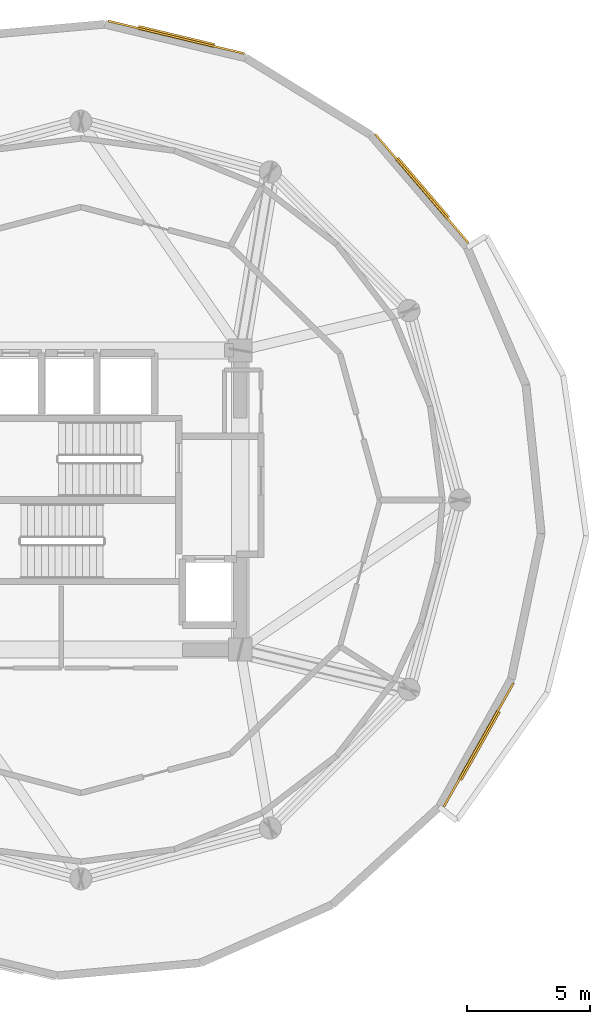
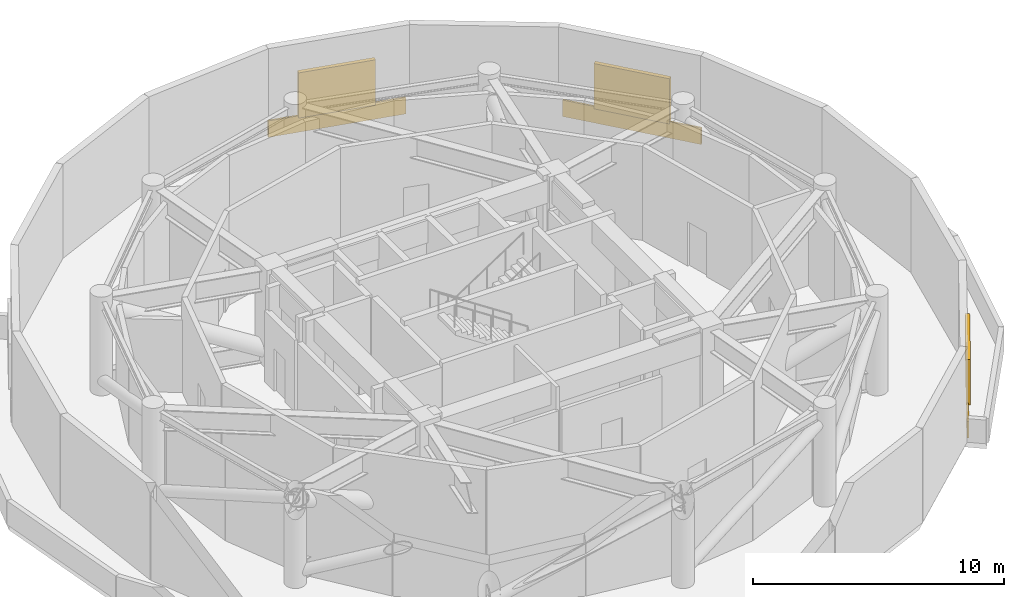
# One storey, part 7 of 7: 3 coverings, 3 shading devices.
"""IFC4 building model written with IfcOpenShell, lengths in metres."""

import ifcopenshell
import ifcopenshell.guid

model = None  # the IFC model being written
_history = None  # IfcOwnerHistory: only IFC2X3 demands one
_inside = {}  # id of a spatial element -> (the spatial element, [elements in it])
_under = {}  # id of a project, library or spatial element -> (it, [spatial elements below it])
_declared = {}  # id of a project -> (the project, [libraries it declares])
_typed = {}  # id of a type object -> (the type object, [elements of that type])
_made_of = {}  # id of a material, layer set ... -> (it, [elements and type objects made of it])


def new_model(schema):
    """Start an empty IFC model of exactly this schema.

    Asked for "IFC4X3", IfcOpenShell would pick the latest addendum, in which some entities
    have other attributes; the version numbers below select the first issue.
    IFC2X3 requires an IfcOwnerHistory on every rooted entity: one is made here for all.
    """
    global model, _history
    if schema == "IFC4X3":
        model = ifcopenshell.file(schema_version=(4, 3, 0, 0))
    else:
        model = ifcopenshell.file(schema=schema)
    _inside.clear()
    _under.clear()
    _declared.clear()
    _typed.clear()
    _made_of.clear()
    _history = None
    if model.schema == "IFC2X3":
        org = make("IfcOrganization", Name="unknown")
        user = make(
            "IfcPersonAndOrganization",
            ThePerson=make("IfcPerson", FamilyName="unknown"),
            TheOrganization=org,
        )
        app = make(
            "IfcApplication",
            ApplicationDeveloper=org,
            Version="unknown",
            ApplicationFullName="unknown",
            ApplicationIdentifier="unknown",
        )
        _history = make(
            "IfcOwnerHistory",
            OwningUser=user,
            OwningApplication=app,
            ChangeAction="ADDED",
            CreationDate=0,
        )
    return model


def make(cls, **values):
    """One entity of the class cls with the attributes given. An attribute that is None is left unset."""
    return model.create_entity(
        cls, **{name: value for name, value in values.items() if value is not None}
    )


def rooted(cls, **values):
    """An entity with a GlobalId (a new one), such as an element, a storey or a relation."""
    return make(cls, GlobalId=ifcopenshell.guid.new(), OwnerHistory=_history, **values)


def si_unit(unit_type, name, prefix=None):
    """IfcSIUnit, for example si_unit("LENGTHUNIT", "METRE", prefix="MILLI")."""
    return make("IfcSIUnit", UnitType=unit_type, Prefix=prefix, Name=name)


def assignment(units):
    """IfcUnitAssignment: the units of a project."""
    return None if units is None else make("IfcUnitAssignment", Units=units)


def point(xyz):
    """IfcCartesianPoint."""
    return None if xyz is None else make("IfcCartesianPoint", Coordinates=xyz)


def direction(xyz):
    """IfcDirection."""
    return None if xyz is None else make("IfcDirection", DirectionRatios=xyz)


def frame(location, z_axis=None, x_axis=None):
    """IfcAxis2Placement3D, a coordinate frame: its origin and axes. An axis left out is left unset."""
    return make(
        "IfcAxis2Placement3D",
        Location=point(location),
        Axis=direction(z_axis),
        RefDirection=direction(x_axis),
    )


def frame_2d(location, x_axis=None):
    """IfcAxis2Placement2D, a coordinate frame in the plane: its origin and x axis."""
    return make(
        "IfcAxis2Placement2D", Location=point(location), RefDirection=direction(x_axis)
    )


def origin():
    """The frame at (0, 0, 0) with its axes left unset."""
    return frame((0.0, 0.0, 0.0))


def origin_2d():
    """The frame at (0, 0) in the plane with its x axis left unset."""
    return frame_2d((0.0, 0.0))


def place(relative_to, where):
    """IfcLocalPlacement: puts the frame where relative to a parent placement (None: the world)."""
    return make(
        "IfcLocalPlacement", PlacementRelTo=relative_to, RelativePlacement=where
    )


def context(
    kind, dimensions, precision=None, world=None, true_north=None, identifier=None
):
    """IfcGeometricRepresentationContext, for example the 3D "Model" context."""
    return make(
        "IfcGeometricRepresentationContext",
        ContextIdentifier=identifier,
        ContextType=kind,
        CoordinateSpaceDimension=dimensions,
        Precision=precision,
        WorldCoordinateSystem=world,
        TrueNorth=true_north,
    )


def subcontext(parent, identifier, kind, view, scale=None):
    """IfcGeometricRepresentationSubContext, for example "Body" below "Model"."""
    return make(
        "IfcGeometricRepresentationSubContext",
        ContextIdentifier=identifier,
        ContextType=kind,
        ParentContext=parent,
        TargetScale=scale,
        TargetView=view,
    )


def project(units=None, contexts=None):
    """IfcProject with its units and contexts."""
    return rooted(
        "IfcProject",
        Name="project",
        RepresentationContexts=contexts,
        UnitsInContext=assignment(units),
    )


def spatial(cls, under=None, at=None, **own):
    """A site, building, storey or space (cls), placed at a placement, below another one or the project."""
    s = rooted(cls, ObjectPlacement=at, **own)
    if under is not None:
        _under.setdefault(under.id(), (under, []))[1].append(s)
    return s


def profile(cls, at=None, kind="AREA", **sizes):
    """A parametric profile (cls). Its sizes go by their IFC names, for example OverallWidth=200.0."""
    return make(cls, ProfileType=kind, Position=at, **sizes)


def rectangle(**sizes):
    """IfcRectangleProfileDef."""
    return profile("IfcRectangleProfileDef", **sizes)


def extrude(swept, where, along, depth):
    """IfcExtrudedAreaSolid: the profile swept, set in the frame where, extruded along a direction by depth."""
    return make(
        "IfcExtrudedAreaSolid",
        SweptArea=swept,
        Position=where,
        ExtrudedDirection=direction(along),
        Depth=depth,
    )


def shape(context_of_items, identifier, shape_type, items):
    """IfcShapeRepresentation: the items that make up one representation, for example the "Body"."""
    return make(
        "IfcShapeRepresentation",
        ContextOfItems=context_of_items,
        RepresentationIdentifier=identifier,
        RepresentationType=shape_type,
        Items=items,
    )


def material(Name=None, Category=None):
    """IfcMaterial."""
    return make("IfcMaterial", Name=Name, Category=Category)


def layer(
    of_material, thickness, ventilated=None, Name=None, Category=None, Priority=None
):
    """IfcMaterialLayer: one layer of a wall or slab, of a material (None: an air gap)."""
    return make(
        "IfcMaterialLayer",
        Material=of_material,
        LayerThickness=thickness,
        IsVentilated=ventilated,
        Name=Name,
        Category=Category,
        Priority=Priority,
    )


def layer_set(layers, Name=None):
    """IfcMaterialLayerSet."""
    return make("IfcMaterialLayerSet", MaterialLayers=layers, LayerSetName=Name)


def made_of(thing, what):
    """Note that an element or type object is made of a material, layer set ...; save() writes the relation."""
    if what is not None:
        _made_of.setdefault(what.id(), (what, []))[1].append(thing)
    return thing


def type_object(cls, material=None, **own):
    """A type object (cls), such as IfcWallType, which elements share."""
    return made_of(rooted(cls, **own), material)


def element(
    cls,
    number,
    at=None,
    inside=None,
    cuts=None,
    type_object=None,
    material=None,
    context=None,
    identifier="Body",
    shape_type=None,
    held_by="IfcProductDefinitionShape",
    body=None,
    shapes=None,
    **own,
):
    """One element of the class cls, such as IfcWall. Its Tag is "e" and its number.

    at: its placement. inside: the storey or other place that contains it. cuts: it is an
    opening in that element (IfcRelVoidsElement). A single representation is given by context,
    identifier, shape_type and body (its items); several are given by shapes. held_by: the class
    of the entity that holds the representations. save() writes the other relations.
    """
    e = rooted(cls, Tag="e%d" % number, ObjectPlacement=at, **own)
    if body is not None:
        shapes = [shape(context, identifier, shape_type, body)]
    if shapes is not None:
        e.Representation = make(held_by, Representations=shapes)
    if inside is not None:
        _inside.setdefault(inside.id(), (inside, []))[1].append(e)
    if cuts is not None:
        rooted(
            "IfcRelVoidsElement", RelatingBuildingElement=cuts, RelatedOpeningElement=e
        )
    if type_object is not None:
        _typed.setdefault(type_object.id(), (type_object, []))[1].append(e)
    return made_of(e, material)


def aggregate(whole, parts):
    """IfcRelAggregates: a whole, such as a stair, and the parts it consists of."""
    return rooted("IfcRelAggregates", RelatingObject=whole, RelatedObjects=parts)


def save(model, path):
    """Write the relations noted so far, then the file.

    IfcRelAggregates (storeys below a building ...), IfcRelContainedInSpatialStructure (elements
    in a storey), IfcRelDefinesByType, IfcRelAssociatesMaterial and IfcRelDeclares: one each for
    every whole, place, type object, material and project.
    """
    for whole, parts in _under.values():
        aggregate(whole, parts)
    for where, things in _inside.values():
        rooted(
            "IfcRelContainedInSpatialStructure",
            RelatedElements=things,
            RelatingStructure=where,
        )
    for kind, things in _typed.values():
        rooted("IfcRelDefinesByType", RelatedObjects=things, RelatingType=kind)
    for what, things in _made_of.values():
        rooted("IfcRelAssociatesMaterial", RelatedObjects=things, RelatingMaterial=what)
    for by, libraries in _declared.values():
        rooted("IfcRelDeclares", RelatingContext=by, RelatedDefinitions=libraries)
    model.write(path)


model = new_model("IFC4")

# Units and contexts
model_context = context("Model", 3, precision=1e-05, world=origin(), true_north=direction((0.0, 1.0)))
body_context = subcontext(model_context, "Body", "Model", "MODEL_VIEW")
ifc_project = project(units=[si_unit("LENGTHUNIT", "METRE"), si_unit("AREAUNIT", "SQUARE_METRE"), si_unit("VOLUMEUNIT", "CUBIC_METRE"), si_unit("PLANEANGLEUNIT", "RADIAN"), si_unit("MASSUNIT", "GRAM", prefix="KILO")], contexts=[model_context])

# Site, building, storey
site_placement = place(None, origin())
site = spatial("IfcSite", under=ifc_project, at=site_placement, CompositionType="ELEMENT")
building_placement = place(site_placement, origin())
building = spatial("IfcBuilding", under=site, at=building_placement, Name="Solvirekh Grand Hotel", CompositionType="ELEMENT")
storey_placement = place(building_placement, frame((0.0, 0.0, 234.39990234375)))
storey = spatial("IfcBuildingStorey", under=building, at=storey_placement, Name="L61", CompositionType="ELEMENT", Elevation=234.39990234375)

# Coverings
ifc_material = material(Name="Anodized Bronze Aluminium 6063-T6", Category="aluminium")
ifc_layer_1 = layer(ifc_material, 0.0400390625)
ifc_layer_set_1 = layer_set([ifc_layer_1], Name="Anodized Bronze Aluminium 6063-T6")
covering_type = type_object("IfcCoveringType", Name="Cov_Cladding_Bronze", PredefinedType="CLADDING", material=ifc_layer_set_1)
covering_1_placement = place(storey_placement, frame((16.22412109375, -9.990966796875, 0.05029296875), z_axis=(0.0, 0.0, 1.0), x_axis=(-0.490751690644, -0.871299476719, 0.0)))
element("IfcCovering", 1, at=covering_1_placement, inside=storey, type_object=covering_type, Name="L61 bronze spandrel cladding band 3", PredefinedType="CLADDING", context=body_context, shape_type="SweptSolid", body=[
    extrude(rectangle(XDim=5.783935546875, YDim=0.080078125, at=origin_2d()), origin(), (0.0, 0.0, 1.0), 0.800048828125),
])
covering_2_placement = place(storey_placement, frame((13.912109375, 12.696044921875, 0.05029296875), z_axis=(0.0, 0.0, 1.0), x_axis=(0.650509141939, -0.759498424128, 0.0)))
element("IfcCovering", 2, at=covering_2_placement, inside=storey, type_object=covering_type, Name="L61 bronze spandrel cladding band 7", PredefinedType="CLADDING", context=body_context, shape_type="SweptSolid", body=[
    extrude(rectangle(XDim=5.85400390625, YDim=0.080078125, at=origin_2d()), origin(), (0.0, 0.0, 1.0), 0.800048828125),
])
covering_3_placement = place(storey_placement, frame((3.886962890625, 18.873046875, 0.05029296875), z_axis=(0.0, 0.0, 1.0), x_axis=(0.972613850605, -0.232426972642, 0.0)))
element("IfcCovering", 3, at=covering_3_placement, inside=storey, type_object=covering_type, Name="L61 bronze spandrel cladding band 9", PredefinedType="CLADDING", context=body_context, shape_type="SweptSolid", body=[
    extrude(rectangle(XDim=5.715087890625, YDim=0.080078125, at=origin_2d()), origin(), (0.0, 0.0, 1.0), 0.800048828125),
])

# Shading devices
ifc_layer_2 = layer(ifc_material, 0.1201171875)
ifc_layer_set_2 = layer_set([ifc_layer_2], Name="Anodized Bronze Aluminium 6063-T6")
shading_device_type = type_object("IfcShadingDeviceType", Name="Shade_PlantLouvre", PredefinedType="JALOUSIE", material=ifc_layer_set_2)
for number, where, z_axis, x_axis, name in (
    (4, (16.25, -10.0048828125, 0.75), (0.0, 0.0, 1.0), (-0.490751690644, -0.871299476719, 0.0), "L61 anodized bronze plant intake louvre 3"),
    (5, (13.93408203125, 12.716064453125, 0.75), (0.0, 0.0, 1.0), (0.650509141939, -0.759498424128, 0.0), "L61 anodized bronze plant intake louvre 7"),
    (6, (3.89404296875, 18.902099609375, 0.75), (0.0, 0.0, 1.0), (0.972613850605, -0.232426972642, 0.0), "L61 anodized bronze plant intake louvre 9"),
):
    element("IfcShadingDevice", number, at=place(storey_placement, frame(where, z_axis=z_axis, x_axis=x_axis)), inside=storey, type_object=shading_device_type, Name=name, PredefinedType="JALOUSIE", context=body_context, shape_type="SweptSolid", body=[
        extrude(rectangle(XDim=3.199951171875, YDim=0.179931640625, at=origin_2d()), origin(), (0.0, 0.0, 1.0), 2.199951171875),
    ])

save(model, "model.ifc")
